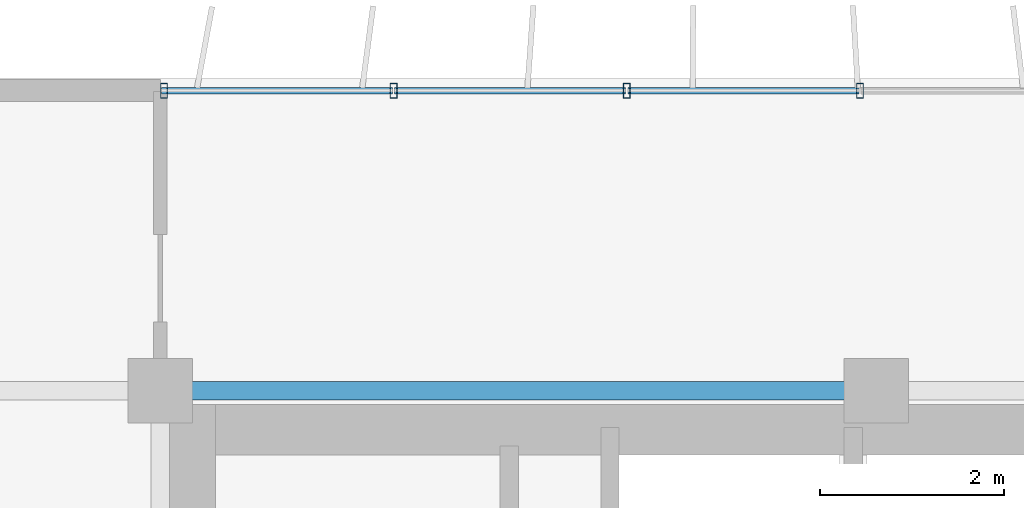
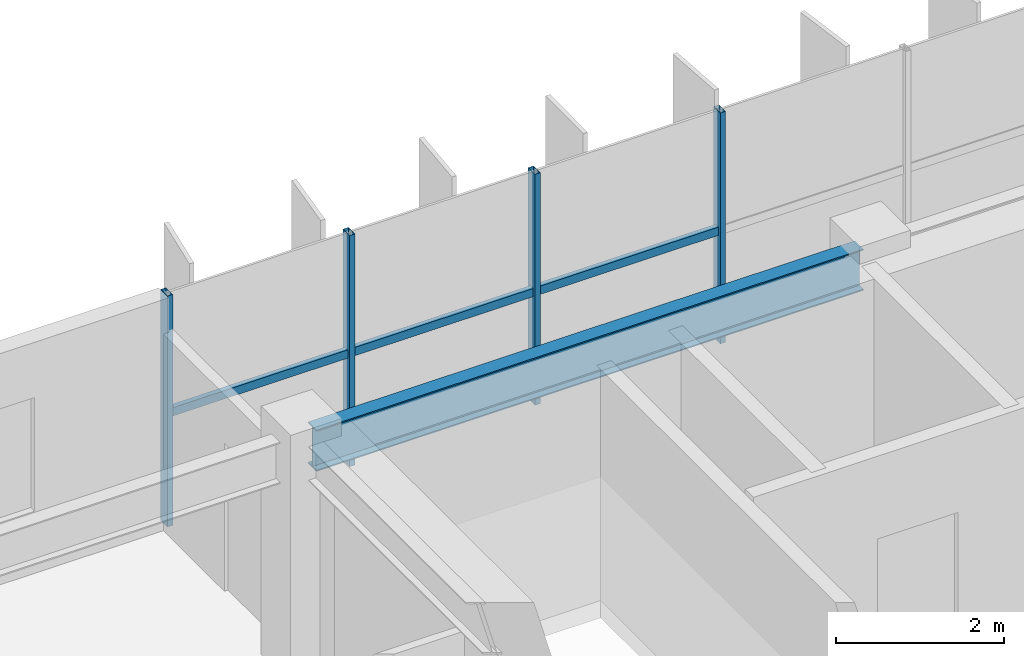
# One storey, part 4 of 20: 7 members, 1 beam, 1 element without a shape of its own.
"""IFC4 building model written with IfcOpenShell, lengths in metres."""

from ifc_helpers import new_model, si_unit, direction, frame, origin, origin_2d, place, context, subcontext, project, spatial, hollow_rectangle, i_section, extrude, source, transform, mapped, material, material_profile, profile_set, type_object, element, aggregate, save


model = new_model("IFC4")

# Units and contexts
model_context = context("Model", 3, precision=1e-05, world=origin(), true_north=direction((0.0, 1.0)))
body_context = subcontext(model_context, "Body", "Model", "MODEL_VIEW")
ifc_project = project(units=[si_unit("LENGTHUNIT", "METRE"), si_unit("AREAUNIT", "SQUARE_METRE"), si_unit("VOLUMEUNIT", "CUBIC_METRE"), si_unit("PLANEANGLEUNIT", "RADIAN"), si_unit("MASSUNIT", "GRAM", prefix="KILO")], contexts=[model_context])

# Site, building, storey
site_placement = place(None, origin())
site = spatial("IfcSite", under=ifc_project, at=site_placement, CompositionType="ELEMENT")
building_placement = place(site_placement, origin())
building = spatial("IfcBuilding", under=site, at=building_placement, Name="Trelvane Seafront Commons", CompositionType="ELEMENT")
storey_placement = place(building_placement, frame((0.0, 0.0, 168.10009765625)))
storey = spatial("IfcBuildingStorey", under=building, at=storey_placement, Name="L44", CompositionType="ELEMENT", Elevation=168.10009765625)

# Beam
ifc_material_1 = material(Name="Steel SM355 (S355)", Category="steel")
ifc_material_profile_1 = material_profile(ifc_material_1, i_section(OverallWidth=0.199951171875, OverallDepth=0.60009765625, WebThickness=0.010986328125, FlangeThickness=0.01708984375, at=origin_2d()), Name="H-600x200x11x17")
ifc_profile_set_1 = profile_set([ifc_material_profile_1], Name="Steel SM355 (S355)")
beam_type = type_object("IfcBeamType", Name="STR-SPD-H600", PredefinedType="SPANDREL", material=ifc_profile_set_1)
shared_shape_1 = source(origin(), body_context, "Body", "SweptSolid", [
    extrude(i_section(OverallWidth=0.199951171875, OverallDepth=0.60009765625, WebThickness=0.010986328125, FlangeThickness=0.01708984375, at=origin_2d()), origin(), (0.0, 0.0, 1.0), 7.5),
])
beam_placement = place(storey_placement, frame((15.75, 45.10009765625, 3.0498046875), z_axis=(1.0, 0.0, 0.0), x_axis=(0.0, 1.0, 0.0)))
element("IfcBeam", 1, at=beam_placement, inside=storey, type_object=beam_type, Name="L44 Primary Girder G-23", PredefinedType="SPANDREL", context=body_context, shape_type="MappedRepresentation", body=[
    mapped(shared_shape_1, transform((0.0, 0.0, 0.0), x_axis=(1.0, 0.0, 0.0), y_axis=(0.0, 1.0, 0.0), z_axis=(0.0, 0.0, 1.0), scale=1.0)),
])

# Curtain wall, members
ifc_material_2 = material(Name="Anodised pale-silver aluminium", Category="aluminium")
curtain_wall_type = type_object("IfcCurtainWallType", Name="ARCH-CW5-UPTOWER", PredefinedType="NOTDEFINED", material=ifc_material_2)
curtain_wall_placement = place(storey_placement, origin())
curtain_wall = element("IfcCurtainWall", 2, at=curtain_wall_placement, inside=storey, type_object=curtain_wall_type, Name="CW-L44-0071", PredefinedType="NOTDEFINED")
ifc_material_profile_2 = material_profile(ifc_material_2, hollow_rectangle(XDim=0.070068359375, YDim=0.1201171875, WallThickness=0.00390625, at=origin_2d()), Name="TRAN-70x120x4")
ifc_profile_set_2 = profile_set([ifc_material_profile_2], Name="Anodised pale-silver aluminium")
member_type_1 = type_object("IfcMemberType", Name="ARCH-CW-TRAN-120", PredefinedType="USERDEFINED", material=ifc_profile_set_2)
shared_shape_2 = source(origin(), body_context, "Body", "SweptSolid", [
    extrude(hollow_rectangle(XDim=0.070068359375, YDim=0.1201171875, WallThickness=0.00390625, at=origin_2d()), origin(), (0.0, 0.0, 1.0), 2.51708984375),
])
member_1_placement = place(storey_placement, frame((15.612060546875, 48.3701171875, 1.60791015625), z_axis=(1.0, 0.0, 0.0), x_axis=(0.0, 1.0, 0.0)))
member_1 = element("IfcMember", 3, at=member_1_placement, type_object=member_type_1, Name="CW-L44-0071-T00", ObjectType="TRANSOM", PredefinedType="USERDEFINED", context=body_context, shape_type="MappedRepresentation", body=[
    mapped(shared_shape_2, transform((0.0, 0.0, 0.0), x_axis=(1.0, 0.0, 0.0), y_axis=(0.0, 1.0, 0.0), z_axis=(0.0, 0.0, 1.0), scale=1.0)),
])
member_2_placement = place(storey_placement, frame((18.1533203125, 48.3701171875, 1.60791015625), z_axis=(1.0, 0.0, 0.0), x_axis=(0.0, 1.0, 0.0)))
member_2 = element("IfcMember", 4, at=member_2_placement, type_object=member_type_1, Name="CW-L44-0071-T01", ObjectType="TRANSOM", PredefinedType="USERDEFINED", context=body_context, shape_type="MappedRepresentation", body=[
    mapped(shared_shape_2, transform((0.0, 0.0, 0.0), x_axis=(1.0, 0.0, 0.0), y_axis=(0.0, 1.0, 0.0), z_axis=(0.0, 0.0, 1.0), scale=1.0)),
])
member_3_placement = place(storey_placement, frame((20.6943359375, 48.3701171875, 1.60791015625), z_axis=(1.0, 0.0, 0.0), x_axis=(0.0, 1.0, 0.0)))
member_3 = element("IfcMember", 5, at=member_3_placement, type_object=member_type_1, Name="CW-L44-0071-T02", ObjectType="TRANSOM", PredefinedType="USERDEFINED", context=body_context, shape_type="MappedRepresentation", body=[
    mapped(shared_shape_2, transform((0.0, 0.0, 0.0), x_axis=(1.0, 0.0, 0.0), y_axis=(0.0, 1.0, 0.0), z_axis=(0.0, 0.0, 1.0), scale=1.0)),
])
ifc_material_profile_3 = material_profile(ifc_material_2, hollow_rectangle(XDim=0.074951171875, YDim=0.159912109375, WallThickness=0.00390625, at=origin_2d()), Name="MULL-75x160x4")
ifc_profile_set_3 = profile_set([ifc_material_profile_3], Name="Anodised pale-silver aluminium")
member_type_2 = type_object("IfcMemberType", Name="ARCH-CW-MULL-160", PredefinedType="MULLION", material=ifc_profile_set_3)
shared_shape_3 = source(origin(), body_context, "Body", "SweptSolid", [
    extrude(hollow_rectangle(XDim=0.074951171875, YDim=0.159912109375, WallThickness=0.00390625, at=origin_2d()), origin(), (0.0, 0.0, 1.0), 3.349853515625),
])
member_4_placement = place(storey_placement, frame((15.639892578125, 48.3701171875, 0.0), z_axis=(0.0, 0.0, 1.0), x_axis=(1.0, 0.0, 0.0)))
member_4 = element("IfcMember", 6, at=member_4_placement, type_object=member_type_2, Name="CW-L44-0071-M00", PredefinedType="MULLION", context=body_context, shape_type="MappedRepresentation", body=[
    mapped(shared_shape_3, transform((0.0, 0.0, 0.0), x_axis=(1.0, 0.0, 0.0), y_axis=(0.0, 1.0, 0.0), z_axis=(0.0, 0.0, 1.0), scale=1.0)),
])
member_5_placement = place(storey_placement, frame((18.14111328125, 48.3701171875, 0.0), z_axis=(0.0, 0.0, 1.0), x_axis=(1.0, 0.0, 0.0)))
member_5 = element("IfcMember", 7, at=member_5_placement, type_object=member_type_2, Name="CW-L44-0071-M01", PredefinedType="MULLION", context=body_context, shape_type="MappedRepresentation", body=[
    mapped(shared_shape_3, transform((0.0, 0.0, 0.0), x_axis=(1.0, 0.0, 0.0), y_axis=(0.0, 1.0, 0.0), z_axis=(0.0, 0.0, 1.0), scale=1.0)),
])
member_6_placement = place(storey_placement, frame((20.682373046875, 48.3701171875, 0.0), z_axis=(0.0, 0.0, 1.0), x_axis=(1.0, 0.0, 0.0)))
member_6 = element("IfcMember", 8, at=member_6_placement, type_object=member_type_2, Name="CW-L44-0071-M02", PredefinedType="MULLION", context=body_context, shape_type="MappedRepresentation", body=[
    mapped(shared_shape_3, transform((0.0, 0.0, 0.0), x_axis=(1.0, 0.0, 0.0), y_axis=(0.0, 1.0, 0.0), z_axis=(0.0, 0.0, 1.0), scale=1.0)),
])
member_7_placement = place(storey_placement, frame((23.223388671875, 48.3701171875, 0.0), z_axis=(0.0, 0.0, 1.0), x_axis=(1.0, 0.0, 0.0)))
member_7 = element("IfcMember", 9, at=member_7_placement, type_object=member_type_2, Name="CW-L44-0071-M03", PredefinedType="MULLION", context=body_context, shape_type="MappedRepresentation", body=[
    mapped(shared_shape_3, transform((0.0, 0.0, 0.0), x_axis=(1.0, 0.0, 0.0), y_axis=(0.0, 1.0, 0.0), z_axis=(0.0, 0.0, 1.0), scale=1.0)),
])
aggregate(curtain_wall, [member_4, member_5, member_6, member_7, member_1, member_2, member_3])

save(model, "model.ifc")
